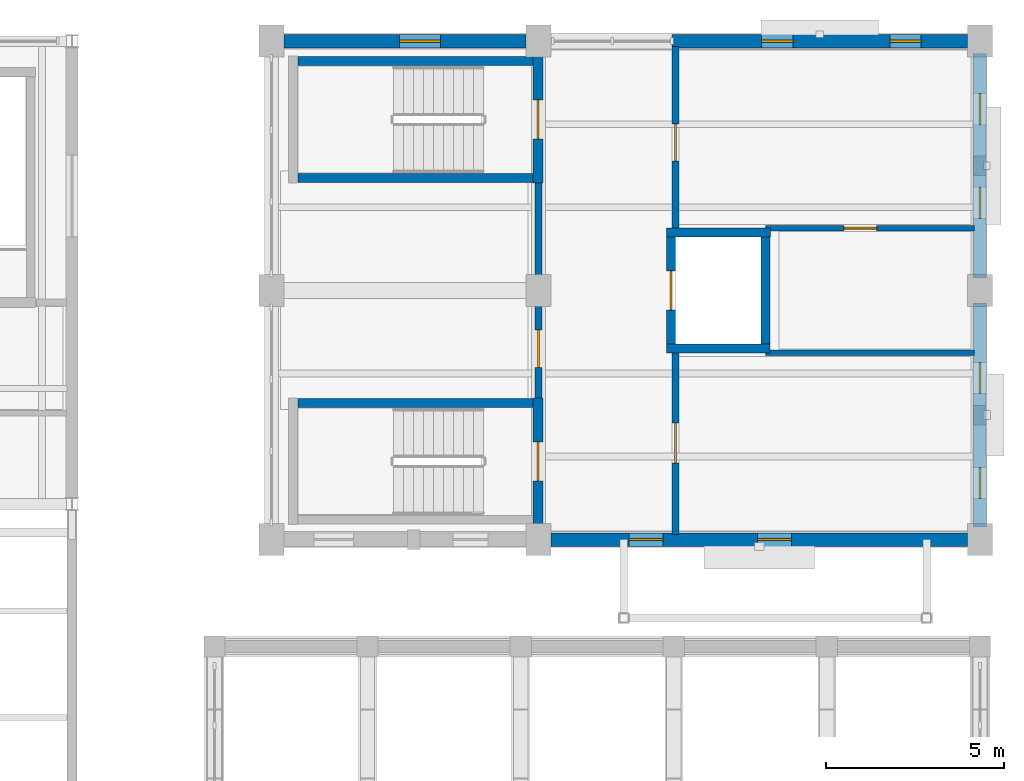
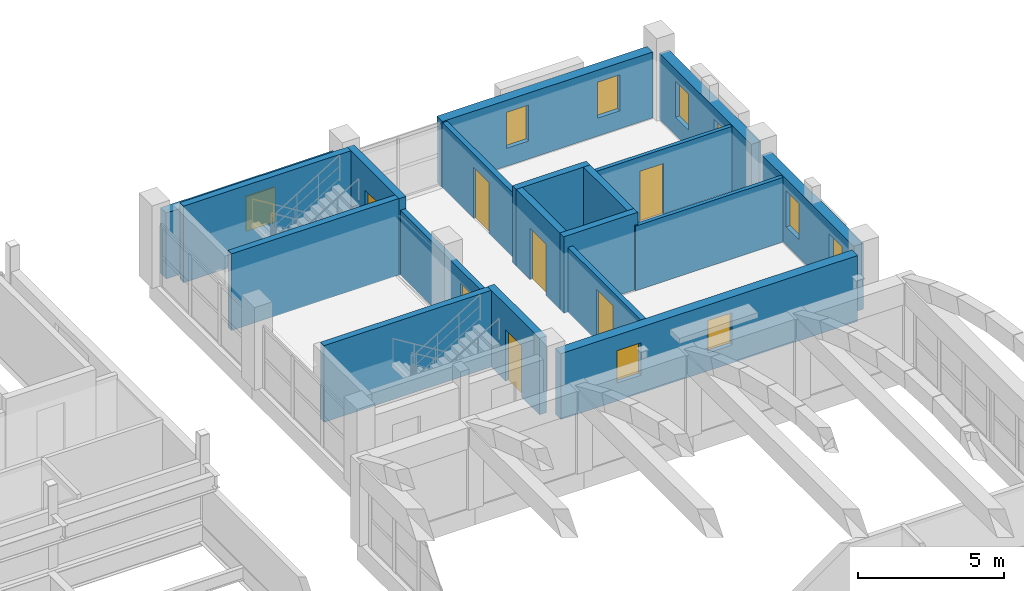
# One storey, part 65 of 77: 19 walls, 9 windows, 7 doors, 16 openings.
"""IFC4 building model written with IfcOpenShell, lengths in metres."""

from ifc_helpers import new_model, si_unit, direction, frame, frame_2d, origin, place, context, subcontext, project, spatial, rectangle, extrude, material, layer, layer_set, type_object, element, fill, save


model = new_model("IFC4")

# Units and contexts
model_context = context("Model", 3, precision=1e-05, world=origin(), true_north=direction((0.0, 1.0)))
body_context = subcontext(model_context, "Body", "Model", "MODEL_VIEW")
ifc_project = project(units=[si_unit("LENGTHUNIT", "METRE"), si_unit("AREAUNIT", "SQUARE_METRE"), si_unit("VOLUMEUNIT", "CUBIC_METRE"), si_unit("PLANEANGLEUNIT", "RADIAN"), si_unit("MASSUNIT", "GRAM", prefix="KILO")], contexts=[model_context])

# Site, building, storey
site_placement = place(None, origin())
site = spatial("IfcSite", under=ifc_project, at=site_placement, CompositionType="ELEMENT")
building_placement = place(site_placement, origin())
building = spatial("IfcBuilding", under=site, at=building_placement, Name="Trellovar Central Fire Station", CompositionType="ELEMENT")
storey_placement = place(building_placement, frame((0.0, 0.0, 5.85009765625)))
storey = spatial("IfcBuildingStorey", under=building, at=storey_placement, Name="L02", CompositionType="ELEMENT", Elevation=5.85009765625)

# Wall, openings, windows
ifc_material_1 = material(Name="Catalan polychrome brickwork with insulated cavity", Category="masonry")
ifc_layer_1 = layer(ifc_material_1, 0.3798828125)
ifc_layer_set_1 = layer_set([ifc_layer_1], Name="Catalan polychrome brickwork with insulated cavity")
wall_type_1 = type_object("IfcWallType", Name="EW-2", PredefinedType="STANDARD", material=ifc_layer_set_1)
wall_1_placement = place(storey_placement, frame((148.949951171875, 59.0, 0.0), z_axis=(0.0, 0.0, 1.0), x_axis=(1.0, 0.0, 0.0)))
wall_1 = element("IfcWall", 1, at=wall_1_placement, inside=storey, type_object=wall_type_1, Name="V2 L02 south training deck wall", PredefinedType="STANDARD", context=body_context, shape_type="SweptSolid", body=[
    extrude(rectangle(XDim=11.699951171875, YDim=0.3798828125, at=frame_2d((5.85009765625, 0.0))), origin(), (0.0, 0.0, 1.0), 2.75),
])
opening_1_placement = place(wall_1_placement, frame((2.199951171875, 0.0, 0.75)))
opening_1 = element("IfcOpeningElement", 2, at=opening_1_placement, cuts=wall_1, Name="Opening W-05", PredefinedType="OPENING", context=body_context, shape_type="SweptSolid", body=[
    extrude(rectangle(XDim=0.949951171875, YDim=1.35009765625, at=frame_2d((0.47509765625, 0.675048828125))), frame((0.0, 0.199951171875, 0.0), z_axis=(0.0, -1.0, 0.0), x_axis=(1.0, 0.0, 0.0)), (0.0, 0.0, 1.0), 0.39990234375),
])
opening_2_placement = place(wall_1_placement, frame((5.800048828125, 0.0, 0.75)))
opening_2 = element("IfcOpeningElement", 3, at=opening_2_placement, cuts=wall_1, Name="Opening W-05", PredefinedType="OPENING", context=body_context, shape_type="SweptSolid", body=[
    extrude(rectangle(XDim=0.949951171875, YDim=1.35009765625, at=frame_2d((0.47509765625, 0.675048828125))), frame((0.0, 0.199951171875, 0.0), z_axis=(0.0, -1.0, 0.0), x_axis=(1.0, 0.0, 0.0)), (0.0, 0.0, 1.0), 0.39990234375),
])
ifc_material_2 = material(Name="Thermally broken bronze anodized aluminum", Category="aluminium")
window_type_1 = type_object("IfcWindowType", Name="WIN-05", PartitioningType="SINGLE_PANEL", PredefinedType="WINDOW", material=ifc_material_2)
window_1_placement = place(opening_1_placement, origin())
window_1 = element("IfcWindow", 4, at=window_1_placement, inside=storey, type_object=window_type_1, Name="Search maze bailout training window A", OverallHeight=1.35009765625, OverallWidth=0.949951171875, PartitioningType="SINGLE_PANEL", PredefinedType="WINDOW", context=body_context, shape_type="SweptSolid", body=[
    extrude(rectangle(XDim=0.949951171875, YDim=1.35009765625, at=frame_2d((0.47509765625, 0.675048828125))), frame((0.0, 0.030029296875, 0.0), z_axis=(0.0, -1.0, 0.0), x_axis=(1.0, 0.0, 0.0)), (0.0, 0.0, 1.0), 0.06005859375),
])
fill(opening_1, window_1)
window_2_placement = place(opening_2_placement, origin())
window_2 = element("IfcWindow", 5, at=window_2_placement, inside=storey, type_object=window_type_1, Name="Search maze bailout training window B", OverallHeight=1.35009765625, OverallWidth=0.949951171875, PartitioningType="SINGLE_PANEL", PredefinedType="WINDOW", context=body_context, shape_type="SweptSolid", body=[
    extrude(rectangle(XDim=0.949951171875, YDim=1.35009765625, at=frame_2d((0.47509765625, 0.675048828125))), frame((0.0, 0.030029296875, 0.0), z_axis=(0.0, -1.0, 0.0), x_axis=(1.0, 0.0, 0.0)), (0.0, 0.0, 1.0), 0.06005859375),
])
fill(opening_2, window_2)

wall_2_placement = place(storey_placement, frame((160.64990234375, 73.0, 0.0), z_axis=(0.0, 0.0, 1.0), x_axis=(-1.0, 0.0, 0.0)))
wall_2 = element("IfcWall", 6, at=wall_2_placement, inside=storey, type_object=wall_type_1, Name="V2 L02 north hose shaft wall", PredefinedType="STANDARD", context=body_context, shape_type="SweptSolid", body=[
    extrude(rectangle(XDim=8.2998046875, YDim=0.3798828125, at=frame_2d((4.14990234375, 0.0))), origin(), (0.0, 0.0, 1.0), 2.75),
])
opening_3_placement = place(wall_2_placement, frame((1.300048828125, 0.0, 0.75)))
opening_3 = element("IfcOpeningElement", 7, at=opening_3_placement, cuts=wall_2, Name="Opening W-07", PredefinedType="OPENING", context=body_context, shape_type="SweptSolid", body=[
    extrude(rectangle(XDim=0.8798828125, YDim=1.5, at=frame_2d((0.43994140625, 0.75))), frame((0.0, 0.199951171875, 0.0), z_axis=(0.0, -1.0, 0.0), x_axis=(1.0, 0.0, 0.0)), (0.0, 0.0, 1.0), 0.39990234375),
])
opening_4_placement = place(wall_2_placement, frame((4.89990234375, 0.0, 0.75)))
opening_4 = element("IfcOpeningElement", 8, at=opening_4_placement, cuts=wall_2, Name="Opening W-07", PredefinedType="OPENING", context=body_context, shape_type="SweptSolid", body=[
    extrude(rectangle(XDim=0.8798828125, YDim=1.5, at=frame_2d((0.43994140625, 0.75))), frame((0.0, 0.199951171875, 0.0), z_axis=(0.0, -1.0, 0.0), x_axis=(1.0, 0.0, 0.0)), (0.0, 0.0, 1.0), 0.39990234375),
])
ifc_material_3 = material(Name="Thermally broken bronze anodized aluminum", Category="aluminium")
window_type_2 = type_object("IfcWindowType", Name="WIN-07", PartitioningType="SINGLE_PANEL", PredefinedType="WINDOW", material=ifc_material_3)
window_3_placement = place(opening_3_placement, origin())
window_3 = element("IfcWindow", 9, at=window_3_placement, inside=storey, type_object=window_type_2, Name="V2 L02 hose drying ventilation lancet A", OverallHeight=1.5, OverallWidth=0.8798828125, PartitioningType="SINGLE_PANEL", PredefinedType="WINDOW", context=body_context, shape_type="SweptSolid", body=[
    extrude(rectangle(XDim=0.8798828125, YDim=1.5, at=frame_2d((0.43994140625, 0.75))), frame((0.0, 0.030029296875, 0.0), z_axis=(0.0, -1.0, 0.0), x_axis=(1.0, 0.0, 0.0)), (0.0, 0.0, 1.0), 0.06005859375),
])
fill(opening_3, window_3)
window_4_placement = place(opening_4_placement, origin())
window_4 = element("IfcWindow", 10, at=window_4_placement, inside=storey, type_object=window_type_2, Name="V2 L02 hose drying ventilation lancet B", OverallHeight=1.5, OverallWidth=0.8798828125, PartitioningType="SINGLE_PANEL", PredefinedType="WINDOW", context=body_context, shape_type="SweptSolid", body=[
    extrude(rectangle(XDim=0.8798828125, YDim=1.5, at=frame_2d((0.43994140625, 0.75))), frame((0.0, 0.030029296875, 0.0), z_axis=(0.0, -1.0, 0.0), x_axis=(1.0, 0.0, 0.0)), (0.0, 0.0, 1.0), 0.06005859375),
])
fill(opening_4, window_4)

# Wall, opening, window
wall_3_placement = place(storey_placement, frame((148.25, 73.0, 0.0), z_axis=(0.0, 0.0, 1.0), x_axis=(-1.0, 0.0, 0.0)))
wall_3 = element("IfcWall", 11, at=wall_3_placement, inside=storey, type_object=wall_type_1, Name="V2 L02 north stair bay wall", PredefinedType="STANDARD", context=body_context, shape_type="SweptSolid", body=[
    extrude(rectangle(XDim=6.800048828125, YDim=0.3798828125, at=frame_2d((3.39990234375, 0.0))), origin(), (0.0, 0.0, 1.0), 2.75),
])
opening_5_placement = place(wall_3_placement, frame((2.39990234375, 0.0, 0.75)))
opening_5 = element("IfcOpeningElement", 12, at=opening_5_placement, cuts=wall_3, Name="Opening W-01", PredefinedType="OPENING", context=body_context, shape_type="SweptSolid", body=[
    extrude(rectangle(XDim=1.14990234375, YDim=1.449951171875, at=frame_2d((0.574951171875, 0.72509765625))), frame((0.0, 0.199951171875, 0.0), z_axis=(0.0, -1.0, 0.0), x_axis=(1.0, 0.0, 0.0)), (0.0, 0.0, 1.0), 0.39990234375),
])
ifc_material_4 = material(Name="Thermally broken bronze anodized aluminum", Category="aluminium")
window_type_3 = type_object("IfcWindowType", Name="WIN-01", PartitioningType="SINGLE_PANEL", PredefinedType="WINDOW", material=ifc_material_4)
window_5_placement = place(opening_5_placement, origin())
window_5 = element("IfcWindow", 13, at=window_5_placement, inside=storey, type_object=window_type_3, Name="L02 window W-01", OverallHeight=1.449951171875, OverallWidth=1.14990234375, PartitioningType="SINGLE_PANEL", PredefinedType="WINDOW", context=body_context, shape_type="SweptSolid", body=[
    extrude(rectangle(XDim=1.14990234375, YDim=1.449951171875, at=frame_2d((0.574951171875, 0.72509765625))), frame((0.0, 0.030029296875, 0.0), z_axis=(0.0, -1.0, 0.0), x_axis=(1.0, 0.0, 0.0)), (0.0, 0.0, 1.0), 0.06005859375),
])
fill(opening_5, window_5)

# Wall, openings, windows
wall_4_placement = place(storey_placement, frame((161.0, 59.35009765625, 0.0), z_axis=(0.0, 0.0, 1.0), x_axis=(0.0, 1.0, 0.0)))
wall_4 = element("IfcWall", 14, at=wall_4_placement, inside=storey, type_object=wall_type_1, Name="V2 L02 east avenue wall", PredefinedType="STANDARD", context=body_context, shape_type="SweptSolid", body=[
    extrude(rectangle(XDim=6.2998046875, YDim=0.3798828125, at=frame_2d((3.14990234375, 0.0))), origin(), (0.0, 0.0, 1.0), 2.75),
])
opening_6_placement = place(wall_4_placement, frame((0.800048828125, 0.0, 0.75)))
opening_6 = element("IfcOpeningElement", 15, at=opening_6_placement, cuts=wall_4, Name="Opening W-07", PredefinedType="OPENING", context=body_context, shape_type="SweptSolid", body=[
    extrude(rectangle(XDim=0.8798828125, YDim=1.5, at=frame_2d((0.43994140625, 0.75))), frame((0.0, 0.199951171875, 0.0), z_axis=(0.0, -1.0, 0.0), x_axis=(1.0, 0.0, 0.0)), (0.0, 0.0, 1.0), 0.39990234375),
])
opening_7_placement = place(wall_4_placement, frame((3.75, 0.0, 0.75)))
opening_7 = element("IfcOpeningElement", 16, at=opening_7_placement, cuts=wall_4, Name="Opening W-07", PredefinedType="OPENING", context=body_context, shape_type="SweptSolid", body=[
    extrude(rectangle(XDim=0.8798828125, YDim=1.5, at=frame_2d((0.43994140625, 0.75))), frame((0.0, 0.199951171875, 0.0), z_axis=(0.0, -1.0, 0.0), x_axis=(1.0, 0.0, 0.0)), (0.0, 0.0, 1.0), 0.39990234375),
])
window_6_placement = place(opening_6_placement, origin())
window_6 = element("IfcWindow", 17, at=window_6_placement, inside=storey, type_object=window_type_2, Name="L02 window W-07", OverallHeight=1.5, OverallWidth=0.8798828125, PartitioningType="SINGLE_PANEL", PredefinedType="WINDOW", context=body_context, shape_type="SweptSolid", body=[
    extrude(rectangle(XDim=0.8798828125, YDim=1.5, at=frame_2d((0.43994140625, 0.75))), frame((0.0, 0.030029296875, 0.0), z_axis=(0.0, -1.0, 0.0), x_axis=(1.0, 0.0, 0.0)), (0.0, 0.0, 1.0), 0.06005859375),
])
fill(opening_6, window_6)
window_7_placement = place(opening_7_placement, origin())
window_7 = element("IfcWindow", 18, at=window_7_placement, inside=storey, type_object=window_type_2, Name="L02 window W-07", OverallHeight=1.5, OverallWidth=0.8798828125, PartitioningType="SINGLE_PANEL", PredefinedType="WINDOW", context=body_context, shape_type="SweptSolid", body=[
    extrude(rectangle(XDim=0.8798828125, YDim=1.5, at=frame_2d((0.43994140625, 0.75))), frame((0.0, 0.030029296875, 0.0), z_axis=(0.0, -1.0, 0.0), x_axis=(1.0, 0.0, 0.0)), (0.0, 0.0, 1.0), 0.06005859375),
])
fill(opening_7, window_7)

wall_5_placement = place(storey_placement, frame((161.0, 66.35009765625, 0.0), z_axis=(0.0, 0.0, 1.0), x_axis=(0.0, 1.0, 0.0)))
wall_5 = element("IfcWall", 19, at=wall_5_placement, inside=storey, type_object=wall_type_1, Name="V2 L02 east avenue wall", PredefinedType="STANDARD", context=body_context, shape_type="SweptSolid", body=[
    extrude(rectangle(XDim=6.2998046875, YDim=0.3798828125, at=frame_2d((3.14990234375, 0.0))), origin(), (0.0, 0.0, 1.0), 2.75),
])
opening_8_placement = place(wall_5_placement, frame((1.669921875, 0.0, 0.75)))
opening_8 = element("IfcOpeningElement", 20, at=opening_8_placement, cuts=wall_5, Name="Opening W-07", PredefinedType="OPENING", context=body_context, shape_type="SweptSolid", body=[
    extrude(rectangle(XDim=0.8798828125, YDim=1.5, at=frame_2d((0.43994140625, 0.75))), frame((0.0, 0.199951171875, 0.0), z_axis=(0.0, -1.0, 0.0), x_axis=(1.0, 0.0, 0.0)), (0.0, 0.0, 1.0), 0.39990234375),
])
opening_9_placement = place(wall_5_placement, frame((4.300048828125, 0.0, 0.75)))
opening_9 = element("IfcOpeningElement", 21, at=opening_9_placement, cuts=wall_5, Name="Opening W-07", PredefinedType="OPENING", context=body_context, shape_type="SweptSolid", body=[
    extrude(rectangle(XDim=0.8798828125, YDim=1.5, at=frame_2d((0.43994140625, 0.75))), frame((0.0, 0.199951171875, 0.0), z_axis=(0.0, -1.0, 0.0), x_axis=(1.0, 0.0, 0.0)), (0.0, 0.0, 1.0), 0.39990234375),
])
window_8_placement = place(opening_8_placement, origin())
window_8 = element("IfcWindow", 22, at=window_8_placement, inside=storey, type_object=window_type_2, Name="L02 window W-07", OverallHeight=1.5, OverallWidth=0.8798828125, PartitioningType="SINGLE_PANEL", PredefinedType="WINDOW", context=body_context, shape_type="SweptSolid", body=[
    extrude(rectangle(XDim=0.8798828125, YDim=1.5, at=frame_2d((0.43994140625, 0.75))), frame((0.0, 0.030029296875, 0.0), z_axis=(0.0, -1.0, 0.0), x_axis=(1.0, 0.0, 0.0)), (0.0, 0.0, 1.0), 0.06005859375),
])
fill(opening_8, window_8)
window_9_placement = place(opening_9_placement, origin())
window_9 = element("IfcWindow", 23, at=window_9_placement, inside=storey, type_object=window_type_2, Name="L02 window W-07", OverallHeight=1.5, OverallWidth=0.8798828125, PartitioningType="SINGLE_PANEL", PredefinedType="WINDOW", context=body_context, shape_type="SweptSolid", body=[
    extrude(rectangle(XDim=0.8798828125, YDim=1.5, at=frame_2d((0.43994140625, 0.75))), frame((0.0, 0.030029296875, 0.0), z_axis=(0.0, -1.0, 0.0), x_axis=(1.0, 0.0, 0.0)), (0.0, 0.0, 1.0), 0.06005859375),
])
fill(opening_9, window_9)

# Wall, opening, door
ifc_material_5 = material(Name="Acoustic concrete masonry unit", Category="masonry")
ifc_layer_2 = layer(ifc_material_5, 0.199951171875)
ifc_layer_set_2 = layer_set([ifc_layer_2], Name="Acoustic concrete masonry unit")
wall_type_2 = type_object("IfcWallType", Name="PT-1", PredefinedType="PARTITIONING", material=ifc_layer_set_2)
wall_6_placement = place(storey_placement, frame((148.60009765625, 62.840087890625, 0.0), z_axis=(0.0, 0.0, 1.0), x_axis=(0.0, 1.0, 0.0)))
wall_6 = element("IfcWall", 24, at=wall_6_placement, inside=storey, type_object=wall_type_2, Name="V2 L02 west lab corridor wall", PredefinedType="PARTITIONING", context=body_context, shape_type="SweptSolid", body=[
    extrude(rectangle(XDim=6.31982421875, YDim=0.199951171875, at=frame_2d((3.159912109375, 0.0))), origin(), (0.0, 0.0, 1.0), 2.699951171875),
])
opening_10_placement = place(wall_6_placement, frame((1.0, 0.0, 0.0)))
opening_10 = element("IfcOpeningElement", 25, at=opening_10_placement, cuts=wall_6, Name="Opening ID-5", PredefinedType="OPENING", context=body_context, shape_type="SweptSolid", body=[
    extrude(rectangle(XDim=1.050048828125, YDim=2.139892578125, at=frame_2d((0.52490234375, 1.06982421875))), frame((0.0, 0.10986328125, 0.0), z_axis=(0.0, -1.0, 0.0), x_axis=(1.0, 0.0, 0.0)), (0.0, 0.0, 1.0), 0.219970703125),
])
ifc_material_6 = material(Name="Hollow galvanized steel with acoustic core", Category="steel")
door_type_1 = type_object("IfcDoorType", Name="DR-INT5", OperationType="SINGLE_SWING_LEFT", PredefinedType="DOOR", material=ifc_material_6)
door_1_placement = place(opening_10_placement, origin())
door_1 = element("IfcDoor", 26, at=door_1_placement, inside=storey, type_object=door_type_1, Name="V2 L02 west training lab door", OperationType="SINGLE_SWING_LEFT", OverallHeight=2.139892578125, OverallWidth=1.050048828125, PredefinedType="DOOR", context=body_context, shape_type="SweptSolid", body=[
    extrude(rectangle(XDim=1.050048828125, YDim=2.139892578125, at=frame_2d((0.52490234375, 1.06982421875))), frame((0.0, 0.02490234375, 0.0), z_axis=(0.0, -1.0, 0.0), x_axis=(1.0, 0.0, 0.0)), (0.0, 0.0, 1.0), 0.050048828125),
])
fill(opening_10, door_1)

wall_7_placement = place(storey_placement, frame((152.449951171875, 59.14990234375, 0.0), z_axis=(0.0, 0.0, 1.0), x_axis=(0.0, 1.0, 0.0)))
wall_7 = element("IfcWall", 27, at=wall_7_placement, inside=storey, type_object=wall_type_2, Name="V2 L02 south deck corridor wall", PredefinedType="PARTITIONING", context=body_context, shape_type="SweptSolid", body=[
    extrude(rectangle(XDim=5.22021484375, YDim=0.199951171875, at=frame_2d((2.610107421875, 0.0))), origin(), (0.0, 0.0, 1.0), 2.699951171875),
])
opening_11_placement = place(wall_7_placement, frame((2.0, 0.0, 0.0)))
opening_11 = element("IfcOpeningElement", 28, at=opening_11_placement, cuts=wall_7, Name="Opening ID-12", PredefinedType="OPENING", context=body_context, shape_type="SweptSolid", body=[
    extrude(rectangle(XDim=1.1201171875, YDim=2.14990234375, at=frame_2d((0.56005859375, 1.074951171875))), frame((0.0, 0.10986328125, 0.0), z_axis=(0.0, -1.0, 0.0), x_axis=(1.0, 0.0, 0.0)), (0.0, 0.0, 1.0), 0.219970703125),
])
ifc_material_7 = material(Name="Hollow galvanized steel with acoustic core", Category="steel")
door_type_2 = type_object("IfcDoorType", Name="DR-INT12", OperationType="SINGLE_SWING_LEFT", PredefinedType="DOOR", material=ifc_material_7)
door_2_placement = place(opening_11_placement, origin())
door_2 = element("IfcDoor", 29, at=door_2_placement, inside=storey, type_object=door_type_2, Name="V2 L02 south training deck door", OperationType="SINGLE_SWING_RIGHT", OverallHeight=2.14990234375, OverallWidth=1.1201171875, PredefinedType="DOOR", context=body_context, shape_type="SweptSolid", body=[
    extrude(rectangle(XDim=1.1201171875, YDim=2.14990234375, at=frame_2d((0.56005859375, 1.074951171875))), frame((0.0, 0.02490234375, 0.0), z_axis=(0.0, -1.0, 0.0), x_axis=(1.0, 0.0, 0.0)), (0.0, 0.0, 1.0), 0.050048828125),
])
fill(opening_11, door_2)

wall_8_placement = place(storey_placement, frame((152.449951171875, 67.6298828125, 0.0), z_axis=(0.0, 0.0, 1.0), x_axis=(0.0, 1.0, 0.0)))
wall_8 = element("IfcWall", 30, at=wall_8_placement, inside=storey, type_object=wall_type_2, Name="V2 L02 north hose gallery wall", PredefinedType="PARTITIONING", context=body_context, shape_type="SweptSolid", body=[
    extrude(rectangle(XDim=5.22021484375, YDim=0.199951171875, at=frame_2d((2.610107421875, 0.0))), origin(), (0.0, 0.0, 1.0), 2.699951171875),
])
opening_12_placement = place(wall_8_placement, frame((2.0, 0.0, 0.0)))
opening_12 = element("IfcOpeningElement", 31, at=opening_12_placement, cuts=wall_8, Name="Opening ID-5", PredefinedType="OPENING", context=body_context, shape_type="SweptSolid", body=[
    extrude(rectangle(XDim=1.050048828125, YDim=2.139892578125, at=frame_2d((0.52490234375, 1.06982421875))), frame((0.0, 0.10986328125, 0.0), z_axis=(0.0, -1.0, 0.0), x_axis=(1.0, 0.0, 0.0)), (0.0, 0.0, 1.0), 0.219970703125),
])
door_3_placement = place(opening_12_placement, origin())
door_3 = element("IfcDoor", 32, at=door_3_placement, inside=storey, type_object=door_type_1, Name="V2 L02 north hose gallery door", OperationType="SINGLE_SWING_LEFT", OverallHeight=2.139892578125, OverallWidth=1.050048828125, PredefinedType="DOOR", context=body_context, shape_type="SweptSolid", body=[
    extrude(rectangle(XDim=1.050048828125, YDim=2.139892578125, at=frame_2d((0.52490234375, 1.06982421875))), frame((0.0, 0.02490234375, 0.0), z_axis=(0.0, -1.0, 0.0), x_axis=(1.0, 0.0, 0.0)), (0.0, 0.0, 1.0), 0.050048828125),
])
fill(opening_12, door_3)

# Wall
ifc_material_8 = material(Name="Fire-rated acoustic gypsum stud partition", Category="gypsum")
ifc_layer_3 = layer(ifc_material_8, 0.14990234375)
ifc_layer_set_3 = layer_set([ifc_layer_3], Name="Fire-rated acoustic gypsum stud partition")
wall_type_3 = type_object("IfcWallType", Name="PT-6", PredefinedType="PARTITIONING", material=ifc_layer_set_3)
wall_9_placement = place(storey_placement, frame((154.97998046875, 64.25, 0.0), z_axis=(0.0, 0.0, 1.0), x_axis=(1.0, 0.0, 0.0)))
element("IfcWall", 33, at=wall_9_placement, inside=storey, type_object=wall_type_3, Name="V2 L02 restroom south wall", PredefinedType="PARTITIONING", context=body_context, shape_type="SweptSolid", body=[
    extrude(rectangle(XDim=5.8701171875, YDim=0.14990234375, at=frame_2d((2.93505859375, 0.0))), origin(), (0.0, 0.0, 1.0), 2.699951171875),
])

# Wall, opening, door
wall_10_placement = place(storey_placement, frame((154.97998046875, 67.75, 0.0), z_axis=(0.0, 0.0, 1.0), x_axis=(1.0, 0.0, 0.0)))
wall_10 = element("IfcWall", 34, at=wall_10_placement, inside=storey, type_object=wall_type_3, Name="V2 L02 restroom north wall", PredefinedType="PARTITIONING", context=body_context, shape_type="SweptSolid", body=[
    extrude(rectangle(XDim=5.8701171875, YDim=0.14990234375, at=frame_2d((2.93505859375, 0.0))), origin(), (0.0, 0.0, 1.0), 2.699951171875),
])
opening_13_placement = place(wall_10_placement, frame((2.199951171875, 0.0, 0.0)))
opening_13 = element("IfcOpeningElement", 35, at=opening_13_placement, cuts=wall_10, Name="Opening ID-6", PredefinedType="OPENING", context=body_context, shape_type="SweptSolid", body=[
    extrude(rectangle(XDim=0.919921875, YDim=2.10009765625, at=frame_2d((0.4599609375, 1.050048828125))), frame((0.0, 0.0849609375, 0.0), z_axis=(0.0, -1.0, 0.0), x_axis=(1.0, 0.0, 0.0)), (0.0, 0.0, 1.0), 0.169921875),
])
ifc_material_9 = material(Name="Solid core acoustic white oak veneer", Category="wood")
door_type_3 = type_object("IfcDoorType", Name="DR-INT6", OperationType="SINGLE_SWING_LEFT", PredefinedType="DOOR", material=ifc_material_9)
door_4_placement = place(opening_13_placement, origin())
door_4 = element("IfcDoor", 36, at=door_4_placement, inside=storey, type_object=door_type_3, Name="V2 L02 restroom door", OperationType="SINGLE_SWING_RIGHT", OverallHeight=2.10009765625, OverallWidth=0.919921875, PredefinedType="DOOR", context=body_context, shape_type="SweptSolid", body=[
    extrude(rectangle(XDim=0.919921875, YDim=2.10009765625, at=frame_2d((0.4599609375, 1.050048828125))), frame((0.0, 0.02490234375, 0.0), z_axis=(0.0, -1.0, 0.0), x_axis=(1.0, 0.0, 0.0)), (0.0, 0.0, 1.0), 0.050048828125),
])
fill(opening_13, door_4)

ifc_material_10 = material(Name="Concrete C40/50", Category="concrete")
ifc_layer_4 = layer(ifc_material_10, 0.280029296875)
ifc_layer_set_4 = layer_set([ifc_layer_4], Name="Concrete C40/50")
wall_type_4 = type_object("IfcWallType", Name="SW-1", PredefinedType="SHEAR", material=ifc_layer_set_4)
wall_11_placement = place(storey_placement, frame((148.590087890625, 62.97998046875, 0.0), z_axis=(0.0, 0.0, 1.0), x_axis=(0.0, -1.0, 0.0)))
wall_11 = element("IfcWall", 37, at=wall_11_placement, inside=storey, type_object=wall_type_4, Name="Stair ST-05 L02 front corridor wall", PredefinedType="SHEAR", context=body_context, shape_type="SweptSolid", body=[
    extrude(rectangle(XDim=3.56005859375, YDim=0.280029296875, at=frame_2d((1.780029296875, 0.0))), origin(), (0.0, 0.0, 1.0), 3.199951171875),
])
opening_14_placement = place(wall_11_placement, frame((1.22998046875, 0.0, 0.0)))
opening_14 = element("IfcOpeningElement", 38, at=opening_14_placement, cuts=wall_11, Name="Opening SD-2", PredefinedType="OPENING", context=body_context, shape_type="SweptSolid", body=[
    extrude(rectangle(XDim=1.10009765625, YDim=2.14990234375, at=frame_2d((0.550048828125, 1.074951171875))), frame((0.0, 0.14990234375, 0.0), z_axis=(0.0, -1.0, 0.0), x_axis=(1.0, 0.0, 0.0)), (0.0, 0.0, 1.0), 0.300048828125),
])
ifc_material_11 = material(Name="Hollow galvanized steel with acoustic core", Category="steel")
door_type_4 = type_object("IfcDoorType", Name="DR-STR2", OperationType="SINGLE_SWING_LEFT", PredefinedType="DOOR", material=ifc_material_11)
door_5_placement = place(opening_14_placement, origin())
door_5 = element("IfcDoor", 39, at=door_5_placement, inside=storey, type_object=door_type_4, Name="Stair ST-05 L02 fire door", OperationType="SINGLE_SWING_RIGHT", OverallHeight=2.14990234375, OverallWidth=1.10009765625, PredefinedType="DOOR", context=body_context, shape_type="SweptSolid", body=[
    extrude(rectangle(XDim=1.10009765625, YDim=2.14990234375, at=frame_2d((0.550048828125, 1.074951171875))), frame((0.0, 0.02490234375, 0.0), z_axis=(0.0, -1.0, 0.0), x_axis=(1.0, 0.0, 0.0)), (0.0, 0.0, 1.0), 0.050048828125),
])
fill(opening_14, door_5)

wall_12_placement = place(storey_placement, frame((148.590087890625, 72.580078125, 0.0), z_axis=(0.0, 0.0, 1.0), x_axis=(0.0, -1.0, 0.0)))
wall_12 = element("IfcWall", 40, at=wall_12_placement, inside=storey, type_object=wall_type_4, Name="Stair ST-06 L02 front corridor wall", PredefinedType="SHEAR", context=body_context, shape_type="SweptSolid", body=[
    extrude(rectangle(XDim=3.56005859375, YDim=0.280029296875, at=frame_2d((1.780029296875, 0.0))), origin(), (0.0, 0.0, 1.0), 3.199951171875),
])
opening_15_placement = place(wall_12_placement, frame((1.22998046875, 0.0, 0.0)))
opening_15 = element("IfcOpeningElement", 41, at=opening_15_placement, cuts=wall_12, Name="Opening SD-2", PredefinedType="OPENING", context=body_context, shape_type="SweptSolid", body=[
    extrude(rectangle(XDim=1.10009765625, YDim=2.14990234375, at=frame_2d((0.550048828125, 1.074951171875))), frame((0.0, 0.14990234375, 0.0), z_axis=(0.0, -1.0, 0.0), x_axis=(1.0, 0.0, 0.0)), (0.0, 0.0, 1.0), 0.300048828125),
])
door_6_placement = place(opening_15_placement, origin())
door_6 = element("IfcDoor", 42, at=door_6_placement, inside=storey, type_object=door_type_4, Name="Stair ST-06 L02 fire door", OperationType="SINGLE_SWING_RIGHT", OverallHeight=2.14990234375, OverallWidth=1.10009765625, PredefinedType="DOOR", context=body_context, shape_type="SweptSolid", body=[
    extrude(rectangle(XDim=1.10009765625, YDim=2.14990234375, at=frame_2d((0.550048828125, 1.074951171875))), frame((0.0, 0.02490234375, 0.0), z_axis=(0.0, -1.0, 0.0), x_axis=(1.0, 0.0, 0.0)), (0.0, 0.0, 1.0), 0.050048828125),
])
fill(opening_15, door_6)

# Walls
ifc_material_12 = material(Name="Concrete C40/50", Category="concrete")
ifc_layer_5 = layer(ifc_material_12, 0.25)
ifc_layer_set_5 = layer_set([ifc_layer_5], Name="Concrete C40/50")
wall_type_5 = type_object("IfcWallType", Name="SW-2", PredefinedType="SHEAR", material=ifc_layer_set_5)
for number, where, z_axis, x_axis, name in (
    (43, (148.449951171875, 62.840087890625, 0.0), (0.0, 0.0, 1.0), (-1.0, 0.0, 0.0), "Stair ST-05 L02 left wall"),
    (44, (148.449951171875, 72.43994140625, 0.0), (0.0, 0.0, 1.0), (-1.0, 0.0, 0.0), "Stair ST-06 L02 left wall"),
    (45, (141.85009765625, 69.159912109375, 0.0), (0.0, 0.0, 1.0), (1.0, 0.0, 0.0), "Stair ST-06 L02 right wall"),
):
    element("IfcWall", number, at=place(storey_placement, frame(where, z_axis=z_axis, x_axis=x_axis)), inside=storey, type_object=wall_type_5, Name=name, PredefinedType="SHEAR", context=body_context, shape_type="SweptSolid", body=[
        extrude(rectangle(XDim=6.599853515625, YDim=0.25, at=frame_2d((3.2998046875, 0.0))), origin(), (0.0, 0.0, 1.0), 3.199951171875),
    ])
ifc_material_13 = material(Name="Concrete C40/50", Category="concrete")
ifc_layer_6 = layer(ifc_material_13, 0.260009765625)
ifc_layer_set_6 = layer_set([ifc_layer_6], Name="Concrete C40/50")
wall_type_6 = type_object("IfcWallType", Name="SW-4", PredefinedType="SHEAR", material=ifc_layer_set_6)
for number, where, z_axis, x_axis, name in (
    (46, (152.18994140625, 64.3701171875, 0.0), (0.0, 0.0, 1.0), (1.0, 0.0, 0.0), "Lift EL-04 L02 S wall"),
    (47, (155.110107421875, 67.6298828125, 0.0), (0.0, 0.0, 1.0), (-1.0, 0.0, 0.0), "Lift EL-04 L02 N wall"),
):
    element("IfcWall", number, at=place(storey_placement, frame(where, z_axis=z_axis, x_axis=x_axis)), inside=storey, type_object=wall_type_6, Name=name, PredefinedType="SHEAR", context=body_context, shape_type="SweptSolid", body=[
        extrude(rectangle(XDim=2.920166015625, YDim=0.260009765625, at=frame_2d((1.4599609375, 0.0))), origin(), (0.0, 0.0, 1.0), 3.199951171875),
    ])

# Wall, opening, door
wall_13_placement = place(storey_placement, frame((152.320068359375, 67.5, 0.0), z_axis=(0.0, 0.0, 1.0), x_axis=(0.0, -1.0, 0.0)))
wall_13 = element("IfcWall", 48, at=wall_13_placement, inside=storey, type_object=wall_type_6, Name="Lift EL-04 L02 W wall", PredefinedType="SHEAR", context=body_context, shape_type="SweptSolid", body=[
    extrude(rectangle(XDim=3.0, YDim=0.260009765625, at=frame_2d((1.5, 0.0))), origin(), (0.0, 0.0, 1.0), 3.199951171875),
])
opening_16_placement = place(wall_13_placement, frame((0.949951171875, 0.0, 0.0)))
opening_16 = element("IfcOpeningElement", 49, at=opening_16_placement, cuts=wall_13, Name="Opening LD-1", PredefinedType="OPENING", context=body_context, shape_type="SweptSolid", body=[
    extrude(rectangle(XDim=1.10009765625, YDim=2.14990234375, at=frame_2d((0.550048828125, 1.074951171875))), frame((0.0, 0.139892578125, 0.0), z_axis=(0.0, -1.0, 0.0), x_axis=(1.0, 0.0, 0.0)), (0.0, 0.0, 1.0), 0.280029296875),
])
ifc_material_14 = material(Name="Brushed stainless steel", Category="steel")
door_type_5 = type_object("IfcDoorType", Name="DR-LFT1", OperationType="SLIDING_TO_LEFT", PredefinedType="DOOR", material=ifc_material_14)
door_7_placement = place(opening_16_placement, origin())
door_7 = element("IfcDoor", 50, at=door_7_placement, inside=storey, type_object=door_type_5, Name="Elevator EL-04 L02 sliding landing door", OperationType="SLIDING_TO_LEFT", OverallHeight=2.14990234375, OverallWidth=1.10009765625, PredefinedType="DOOR", context=body_context, shape_type="SweptSolid", body=[
    extrude(rectangle(XDim=1.10009765625, YDim=2.14990234375, at=frame_2d((0.550048828125, 1.074951171875))), frame((0.0, 0.02490234375, 0.0), z_axis=(0.0, -1.0, 0.0), x_axis=(1.0, 0.0, 0.0)), (0.0, 0.0, 1.0), 0.050048828125),
])
fill(opening_16, door_7)

# Wall
wall_14_placement = place(storey_placement, frame((154.97998046875, 64.5, 0.0), z_axis=(0.0, 0.0, 1.0), x_axis=(0.0, 1.0, 0.0)))
element("IfcWall", 51, at=wall_14_placement, inside=storey, type_object=wall_type_6, Name="Lift EL-04 L02 E wall", PredefinedType="SHEAR", context=body_context, shape_type="SweptSolid", body=[
    extrude(rectangle(XDim=3.0, YDim=0.260009765625, at=frame_2d((1.5, 0.0))), origin(), (0.0, 0.0, 1.0), 3.199951171875),
])

save(model, "model.ifc")
